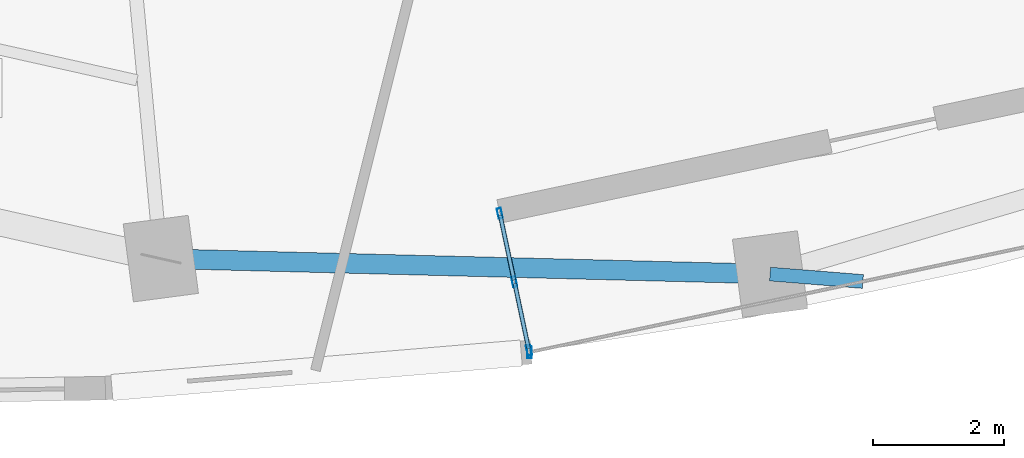
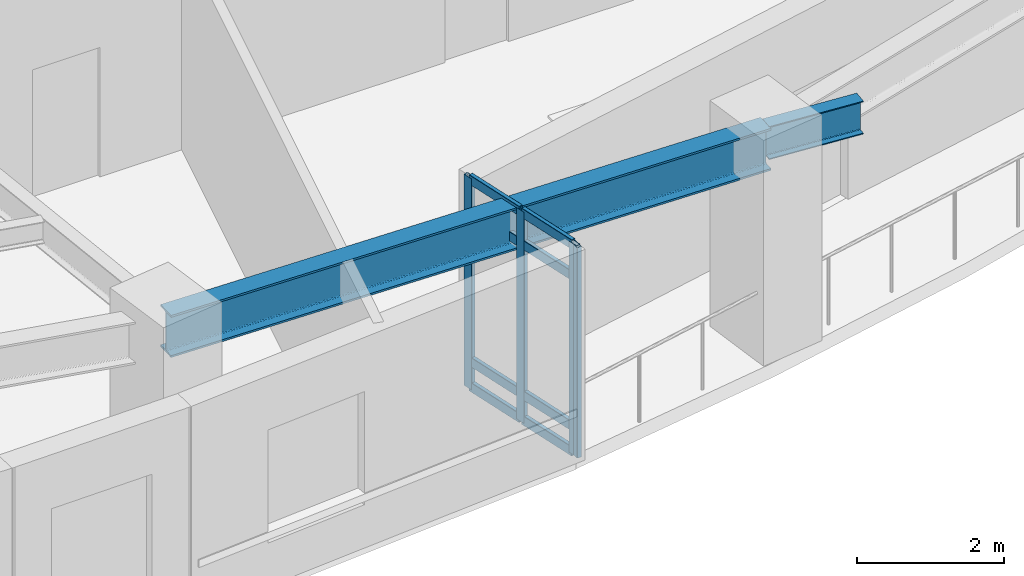
# One storey, part 2 of 12: 12 members, 2 beams, 1 element without a shape of its own.
"""IFC4 building model written with IfcOpenShell, lengths in metres."""

from ifc_helpers import new_model, si_unit, direction, frame, origin, origin_2d, place, context, subcontext, project, spatial, hollow_rectangle, i_section, extrude, material, layer, layer_set, material_profile, profile_set, type_object, element, aggregate, save


model = new_model("IFC4")

# Units and contexts
model_context = context("Model", 3, precision=1e-05, world=origin(), true_north=direction((0.0, 1.0)))
body_context = subcontext(model_context, "Body", "Model", "MODEL_VIEW")
ifc_project = project(units=[si_unit("LENGTHUNIT", "METRE"), si_unit("AREAUNIT", "SQUARE_METRE"), si_unit("VOLUMEUNIT", "CUBIC_METRE"), si_unit("PLANEANGLEUNIT", "RADIAN"), si_unit("MASSUNIT", "GRAM", prefix="KILO")], contexts=[model_context])

# Site, building, storey
site_placement = place(None, origin())
site = spatial("IfcSite", under=ifc_project, at=site_placement, CompositionType="ELEMENT")
building_placement = place(site_placement, origin())
building = spatial("IfcBuilding", under=site, at=building_placement, Name="Ndelora Gate Hotel", CompositionType="ELEMENT")
storey_placement = place(building_placement, frame((0.0, 0.0, 71.75)))
storey = spatial("IfcBuildingStorey", under=building, at=storey_placement, Name="L17", CompositionType="ELEMENT", Elevation=71.75)

# Beams
ifc_material_1 = material(Name="Steel S355", Category="steel")
ifc_material_profile_1 = material_profile(ifc_material_1, i_section(OverallWidth=0.2099609375, OverallDepth=0.550048828125, WebThickness=0.010986328125, FlangeThickness=0.01708984375, FilletRadius=0.02392578125, at=origin_2d()), Name="IPE 550")
ifc_profile_set_1 = profile_set([ifc_material_profile_1], Name="Steel S355")
beam_type_1 = type_object("IfcBeamType", Name="BM-RAD-550", PredefinedType="BEAM", material=ifc_profile_set_1)
beam_1_placement = place(storey_placement, frame((2.2646484375, -17.20166015625, 3.22509765625), z_axis=(0.996814185316, -0.079758886357, 0.0), x_axis=(0.079758886357, 0.996814185316, 0.0)))
element("IfcBeam", 1, at=beam_1_placement, inside=storey, type_object=beam_type_1, Name="L17 Sky-Garden Loggia Column Bracket 2", PredefinedType="BEAM", context=body_context, shape_type="SweptSolid", body=[
    extrude(i_section(OverallWidth=0.2099609375, OverallDepth=0.550048828125, WebThickness=0.010986328125, FlangeThickness=0.01708984375, FilletRadius=0.02392578125, at=origin_2d()), origin(), (0.0, 0.0, 1.0), 1.42041015625),
])
ifc_material_profile_2 = material_profile(ifc_material_1, i_section(OverallWidth=0.300048828125, OverallDepth=0.699951171875, WebThickness=0.01708984375, FlangeThickness=0.031982421875, FilletRadius=0.027099609375, at=origin_2d()), Name="HEB 700")
ifc_profile_set_2 = profile_set([ifc_material_profile_2], Name="Steel S355")
beam_type_2 = type_object("IfcBeamType", Name="BM-RING-700", PredefinedType="SPANDREL", material=ifc_profile_set_2)
beam_2_placement = place(storey_placement, frame((-7.027587890625, -16.96630859375, 3.14990234375), z_axis=(0.999679406439, -0.025319643409, 0.0), x_axis=(0.025319643409, 0.999679406439, 0.0)))
element("IfcBeam", 2, at=beam_2_placement, inside=storey, type_object=beam_type_2, Name="L17 Perimeter Spandrel Girder 6", PredefinedType="SPANDREL", context=body_context, shape_type="SweptSolid", body=[
    extrude(i_section(OverallWidth=0.300048828125, OverallDepth=0.699951171875, WebThickness=0.01708984375, FlangeThickness=0.031982421875, FilletRadius=0.027099609375, at=origin_2d()), origin(), (0.0, 0.0, 1.0), 9.295166015625),
])

# Curtain wall, members
ifc_material_2 = material(Name="Bronze Anodised Unitised Aluminium and Low-E Glass", Category="aluminium")
ifc_layer = layer(ifc_material_2, 0.199951171875)
ifc_layer_set = layer_set([ifc_layer], Name="Bronze Anodised Unitised Aluminium and Low-E Glass")
curtain_wall_type = type_object("IfcCurtainWallType", Name="CW-SYS-3", PredefinedType="NOTDEFINED", material=ifc_layer_set)
curtain_wall_placement = place(storey_placement, origin())
curtain_wall = element("IfcCurtainWall", 3, at=curtain_wall_placement, inside=storey, type_object=curtain_wall_type, Name="L17 Sky-Garden Loggia Side Curtain Wall CW3-1", PredefinedType="NOTDEFINED")
ifc_material_3 = material(Name="Bronze Anodised Aluminium 6063-T6", Category="aluminium")
ifc_material_profile_3 = material_profile(ifc_material_3, hollow_rectangle(XDim=0.06494140625, YDim=0.159912109375, WallThickness=0.00390625, InnerFilletRadius=0.00390625, OuterFilletRadius=0.008056640625, at=origin_2d()), Name="ALU 160x65x4")
ifc_profile_set_3 = profile_set([ifc_material_profile_3], Name="Bronze Anodised Aluminium 6063-T6")
member_type_1 = type_object("IfcMemberType", Name="MB-CW-MUL150", PredefinedType="MULLION", material=ifc_profile_set_3)
member_1_placement = place(storey_placement, frame((-1.856689453125, -16.27587890625, -0.00390625), z_axis=(0.0, 0.0, 1.0), x_axis=(0.978147643724, 0.207911488567, 0.0)))
member_1 = element("IfcMember", 4, at=member_1_placement, type_object=member_type_1, Name="CW3 mullion 1", PredefinedType="MULLION", context=body_context, shape_type="SweptSolid", body=[
    extrude(hollow_rectangle(XDim=0.06494140625, YDim=0.159912109375, WallThickness=0.00390625, InnerFilletRadius=0.00390625, OuterFilletRadius=0.008056640625, at=origin_2d()), origin(), (0.0, 0.0, 1.0), 3.5078125),
])
member_2_placement = place(storey_placement, frame((-1.634765625, -17.320068359375, -0.00390625), z_axis=(0.0, 0.0, 1.0), x_axis=(0.978147643724, 0.207911488567, 0.0)))
member_2 = element("IfcMember", 5, at=member_2_placement, type_object=member_type_1, Name="CW3 mullion 2", PredefinedType="MULLION", context=body_context, shape_type="SweptSolid", body=[
    extrude(hollow_rectangle(XDim=0.06494140625, YDim=0.159912109375, WallThickness=0.00390625, InnerFilletRadius=0.00390625, OuterFilletRadius=0.008056640625, at=origin_2d()), origin(), (0.0, 0.0, 1.0), 3.5078125),
])
member_3_placement = place(storey_placement, frame((-1.412841796875, -18.3642578125, -0.00390625), z_axis=(0.0, 0.0, 1.0), x_axis=(0.978147643724, 0.207911488567, 0.0)))
member_3 = element("IfcMember", 6, at=member_3_placement, type_object=member_type_1, Name="CW3 mullion 3", PredefinedType="MULLION", context=body_context, shape_type="SweptSolid", body=[
    extrude(hollow_rectangle(XDim=0.06494140625, YDim=0.159912109375, WallThickness=0.00390625, InnerFilletRadius=0.00390625, OuterFilletRadius=0.008056640625, at=origin_2d()), origin(), (0.0, 0.0, 1.0), 3.5078125),
])
ifc_material_profile_4 = material_profile(ifc_material_3, hollow_rectangle(XDim=0.070068359375, YDim=0.179931640625, WallThickness=0.0048828125, InnerFilletRadius=0.0048828125, OuterFilletRadius=0.010009765625, at=origin_2d()), Name="ALU 180x70x5")
ifc_profile_set_4 = profile_set([ifc_material_profile_4], Name="Bronze Anodised Aluminium 6063-T6")
member_type_2 = type_object("IfcMemberType", Name="MB-CW-MUL180", PredefinedType="MULLION", material=ifc_profile_set_4)
member_4_placement = place(storey_placement, frame((-1.406005859375, -18.39599609375, 0.0), z_axis=(0.0, 0.0, 1.0), x_axis=(1.0, 0.0, 0.0)))
member_4 = element("IfcMember", 7, at=member_4_placement, type_object=member_type_2, Name="L17 Sky-Garden Loggia Corner Mullion Post 1", PredefinedType="MULLION", context=body_context, shape_type="SweptSolid", body=[
    extrude(hollow_rectangle(XDim=0.070068359375, YDim=0.179931640625, WallThickness=0.0048828125, InnerFilletRadius=0.0048828125, OuterFilletRadius=0.010009765625, at=origin_2d()), origin(), (0.0, 0.0, 1.0), 3.5),
])
ifc_material_profile_5 = material_profile(ifc_material_3, hollow_rectangle(XDim=0.06494140625, YDim=0.159912109375, WallThickness=0.00390625, InnerFilletRadius=0.00390625, OuterFilletRadius=0.008056640625, at=origin_2d()), Name="ALU 160x65x4")
ifc_profile_set_5 = profile_set([ifc_material_profile_5], Name="Bronze Anodised Aluminium 6063-T6")
member_type_3 = type_object("IfcMemberType", Name="MB-CW-TRN150", PredefinedType="USERDEFINED", material=ifc_profile_set_5)
member_5_placement = place(storey_placement, frame((-1.85107421875, -16.302001953125, 0.032470703125), z_axis=(0.207950868925, -0.97813927235, 0.0), x_axis=(0.97813927235, 0.207950868925, 0.0)))
member_5 = element("IfcMember", 8, at=member_5_placement, type_object=member_type_3, Name="CW3 transom 1.1", ObjectType="TRANSOM", PredefinedType="USERDEFINED", context=body_context, shape_type="SweptSolid", body=[
    extrude(hollow_rectangle(XDim=0.06494140625, YDim=0.159912109375, WallThickness=0.00390625, InnerFilletRadius=0.00390625, OuterFilletRadius=0.008056640625, at=origin_2d()), origin(), (0.0, 0.0, 1.0), 1.014404296875),
])
member_6_placement = place(storey_placement, frame((-1.85107421875, -16.302001953125, 0.449951171875), z_axis=(0.207950868925, -0.97813927235, 0.0), x_axis=(0.97813927235, 0.207950868925, 0.0)))
member_6 = element("IfcMember", 9, at=member_6_placement, type_object=member_type_3, Name="CW3 transom 1.2", ObjectType="TRANSOM", PredefinedType="USERDEFINED", context=body_context, shape_type="SweptSolid", body=[
    extrude(hollow_rectangle(XDim=0.06494140625, YDim=0.159912109375, WallThickness=0.00390625, InnerFilletRadius=0.00390625, OuterFilletRadius=0.008056640625, at=origin_2d()), origin(), (0.0, 0.0, 1.0), 1.014404296875),
])
member_7_placement = place(storey_placement, frame((-1.85107421875, -16.302001953125, 2.949951171875), z_axis=(0.207950868925, -0.97813927235, 0.0), x_axis=(0.97813927235, 0.207950868925, 0.0)))
member_7 = element("IfcMember", 10, at=member_7_placement, type_object=member_type_3, Name="CW3 transom 1.3", ObjectType="TRANSOM", PredefinedType="USERDEFINED", context=body_context, shape_type="SweptSolid", body=[
    extrude(hollow_rectangle(XDim=0.06494140625, YDim=0.159912109375, WallThickness=0.00390625, InnerFilletRadius=0.00390625, OuterFilletRadius=0.008056640625, at=origin_2d()), origin(), (0.0, 0.0, 1.0), 1.014404296875),
])
member_8_placement = place(storey_placement, frame((-1.85107421875, -16.302001953125, 3.467529296875), z_axis=(0.207950868925, -0.97813927235, 0.0), x_axis=(0.97813927235, 0.207950868925, 0.0)))
member_8 = element("IfcMember", 11, at=member_8_placement, type_object=member_type_3, Name="CW3 transom 1.4", ObjectType="TRANSOM", PredefinedType="USERDEFINED", context=body_context, shape_type="SweptSolid", body=[
    extrude(hollow_rectangle(XDim=0.06494140625, YDim=0.159912109375, WallThickness=0.00390625, InnerFilletRadius=0.00390625, OuterFilletRadius=0.008056640625, at=origin_2d()), origin(), (0.0, 0.0, 1.0), 1.014404296875),
])
member_9_placement = place(storey_placement, frame((-1.629150390625, -17.34619140625, 0.032470703125), z_axis=(0.207950868925, -0.97813927235, 0.0), x_axis=(0.97813927235, 0.207950868925, 0.0)))
member_9 = element("IfcMember", 12, at=member_9_placement, type_object=member_type_3, Name="CW3 transom 2.1", ObjectType="TRANSOM", PredefinedType="USERDEFINED", context=body_context, shape_type="SweptSolid", body=[
    extrude(hollow_rectangle(XDim=0.06494140625, YDim=0.159912109375, WallThickness=0.00390625, InnerFilletRadius=0.00390625, OuterFilletRadius=0.008056640625, at=origin_2d()), origin(), (0.0, 0.0, 1.0), 1.014404296875),
])
member_10_placement = place(storey_placement, frame((-1.629150390625, -17.34619140625, 0.449951171875), z_axis=(0.207950868925, -0.97813927235, 0.0), x_axis=(0.97813927235, 0.207950868925, 0.0)))
member_10 = element("IfcMember", 13, at=member_10_placement, type_object=member_type_3, Name="CW3 transom 2.2", ObjectType="TRANSOM", PredefinedType="USERDEFINED", context=body_context, shape_type="SweptSolid", body=[
    extrude(hollow_rectangle(XDim=0.06494140625, YDim=0.159912109375, WallThickness=0.00390625, InnerFilletRadius=0.00390625, OuterFilletRadius=0.008056640625, at=origin_2d()), origin(), (0.0, 0.0, 1.0), 1.014404296875),
])
member_11_placement = place(storey_placement, frame((-1.629150390625, -17.34619140625, 2.949951171875), z_axis=(0.207950868925, -0.97813927235, 0.0), x_axis=(0.97813927235, 0.207950868925, 0.0)))
member_11 = element("IfcMember", 14, at=member_11_placement, type_object=member_type_3, Name="CW3 transom 2.3", ObjectType="TRANSOM", PredefinedType="USERDEFINED", context=body_context, shape_type="SweptSolid", body=[
    extrude(hollow_rectangle(XDim=0.06494140625, YDim=0.159912109375, WallThickness=0.00390625, InnerFilletRadius=0.00390625, OuterFilletRadius=0.008056640625, at=origin_2d()), origin(), (0.0, 0.0, 1.0), 1.014404296875),
])
member_12_placement = place(storey_placement, frame((-1.629150390625, -17.34619140625, 3.467529296875), z_axis=(0.207950868925, -0.97813927235, 0.0), x_axis=(0.97813927235, 0.207950868925, 0.0)))
member_12 = element("IfcMember", 15, at=member_12_placement, type_object=member_type_3, Name="CW3 transom 2.4", ObjectType="TRANSOM", PredefinedType="USERDEFINED", context=body_context, shape_type="SweptSolid", body=[
    extrude(hollow_rectangle(XDim=0.06494140625, YDim=0.159912109375, WallThickness=0.00390625, InnerFilletRadius=0.00390625, OuterFilletRadius=0.008056640625, at=origin_2d()), origin(), (0.0, 0.0, 1.0), 1.014404296875),
])
aggregate(curtain_wall, [member_1, member_2, member_3, member_5, member_6, member_7, member_8, member_9, member_10, member_11, member_12, member_4])

save(model, "model.ifc")
